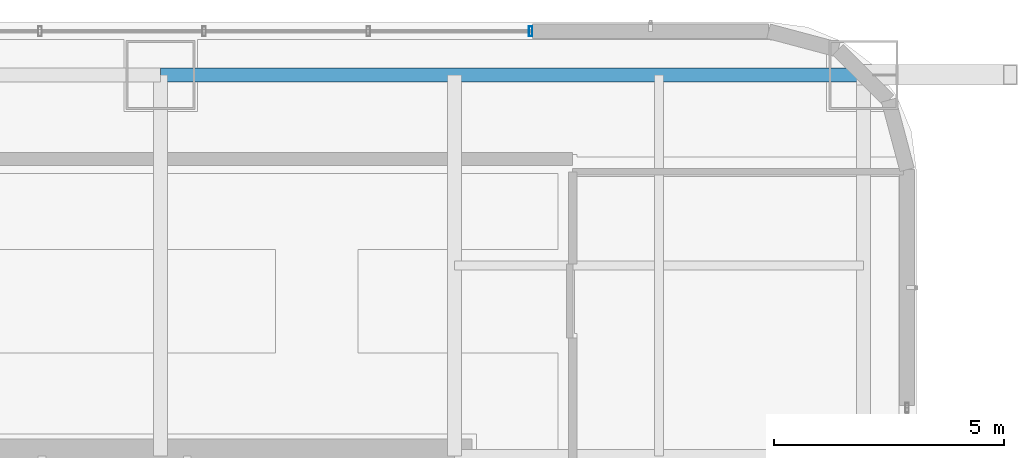
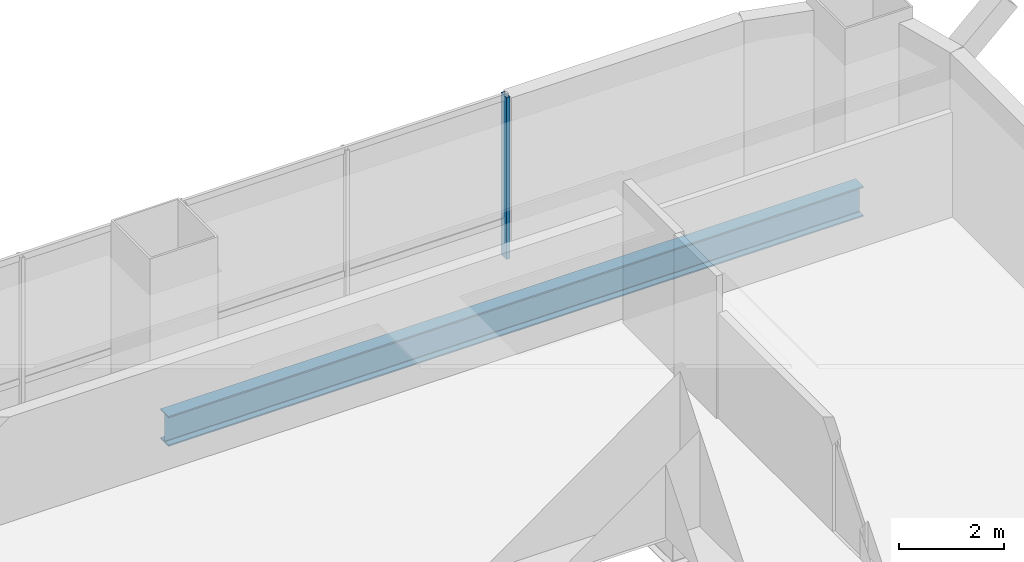
# One storey, part 24 of 45: 1 beam, 1 member, 1 element without a shape of its own.
"""IFC4 building model written with IfcOpenShell, lengths in metres."""

from ifc_helpers import new_model, si_unit, direction, frame, origin, origin_2d, place, context, subcontext, project, spatial, hollow_rectangle, i_section, extrude, material, material_profile, profile_set, type_object, element, aggregate, save


model = new_model("IFC4")

# Units and contexts
model_context = context("Model", 3, precision=1e-05, world=origin(), true_north=direction((0.0, 1.0)))
body_context = subcontext(model_context, "Body", "Model", "MODEL_VIEW")
ifc_project = project(units=[si_unit("LENGTHUNIT", "METRE"), si_unit("AREAUNIT", "SQUARE_METRE"), si_unit("VOLUMEUNIT", "CUBIC_METRE"), si_unit("PLANEANGLEUNIT", "RADIAN"), si_unit("MASSUNIT", "GRAM", prefix="KILO")], contexts=[model_context])

# Site, building, storey
site_placement = place(None, origin())
site = spatial("IfcSite", under=ifc_project, at=site_placement, CompositionType="ELEMENT")
building_placement = place(site_placement, origin())
building = spatial("IfcBuilding", under=site, at=building_placement, Name="Punatoya Terracotta Tower", CompositionType="ELEMENT")
storey_placement = place(building_placement, frame((0.0, 0.0, 56.550048828125)))
storey = spatial("IfcBuildingStorey", under=building, at=storey_placement, Name="L12", CompositionType="ELEMENT", Elevation=56.550048828125)

# Beam
ifc_material_1 = material(Name="Steel S355", Category="steel")
ifc_material_profile_1 = material_profile(ifc_material_1, i_section(OverallWidth=0.300048828125, OverallDepth=0.699951171875, WebThickness=0.01708984375, FlangeThickness=0.031982421875, FilletRadius=0.01806640625, at=origin_2d()))
ifc_profile_set_1 = profile_set([ifc_material_profile_1], Name="Steel S355")
beam_type = type_object("IfcBeamType", Name="BM-PRI-700", PredefinedType="BEAM", material=ifc_profile_set_1)
beam_placement = place(storey_placement, frame((3.800048828125, 17.5, -0.590087890625), z_axis=(1.0, 0.0, 0.0), x_axis=(0.0, 1.0, 0.0)))
element("IfcBeam", 1, at=beam_placement, inside=storey, type_object=beam_type, Name="BM-L12-RG-N3", PredefinedType="BEAM", context=body_context, shape_type="SweptSolid", body=[
    extrude(i_section(OverallWidth=0.300048828125, OverallDepth=0.699951171875, WebThickness=0.01708984375, FlangeThickness=0.031982421875, FilletRadius=0.01806640625, at=origin_2d()), origin(), (0.0, 0.0, 1.0), 15.300048828125),
])

# Curtain wall, member
ifc_material_2 = material(Name="Aluminium 6063-T6 + Double Low-E Glass", Category="aluminium")
curtain_wall_type = type_object("IfcCurtainWallType", Name="CW-M1", PredefinedType="NOTDEFINED", material=ifc_material_2)
curtain_wall_placement = place(storey_placement, origin())
curtain_wall = element("IfcCurtainWall", 2, at=curtain_wall_placement, inside=storey, type_object=curtain_wall_type, Name="L12 Curtain Wall CW-L12-N09-1", PredefinedType="NOTDEFINED")
ifc_material_3 = material(Name="Aluminium 6063-T6", Category="aluminium")
ifc_material_profile_2 = material_profile(ifc_material_3, hollow_rectangle(XDim=0.074951171875, YDim=0.2099609375, WallThickness=0.00439453125, at=origin_2d()))
ifc_profile_set_2 = profile_set([ifc_material_profile_2], Name="Aluminium 6063-T6")
member_type = type_object("IfcMemberType", Name="CW-MUL-M1", PredefinedType="MULLION", material=ifc_profile_set_2)
member_placement = place(storey_placement, frame((11.85498046875, 18.449951171875, 0.0), z_axis=(0.0, 0.0, 1.0), x_axis=(1.0, 0.0, 0.0)))
member = element("IfcMember", 3, at=member_placement, type_object=member_type, Name="CW-L12-N09-1 Mullion 00", PredefinedType="MULLION", context=body_context, shape_type="SweptSolid", body=[
    extrude(hollow_rectangle(XDim=0.074951171875, YDim=0.2099609375, WallThickness=0.00439453125, at=origin_2d()), origin(), (0.0, 0.0, 1.0), 3.77001953125),
])
aggregate(curtain_wall, [member])

save(model, "model.ifc")
